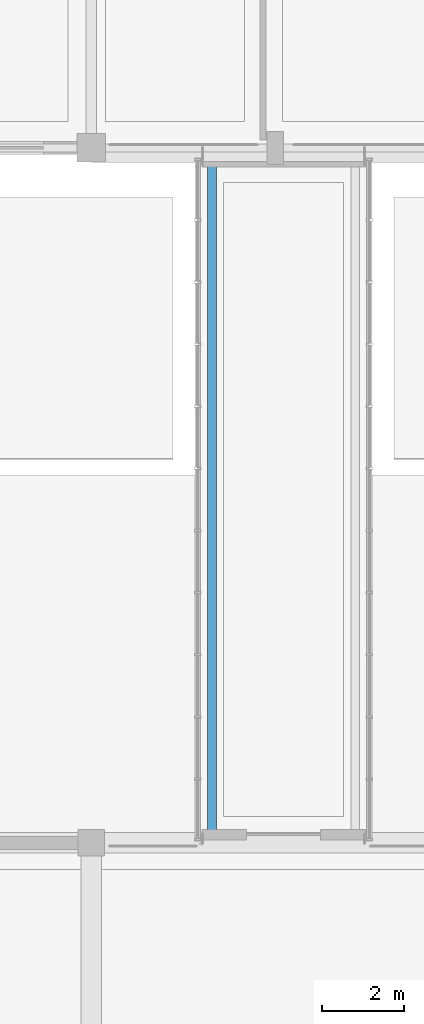
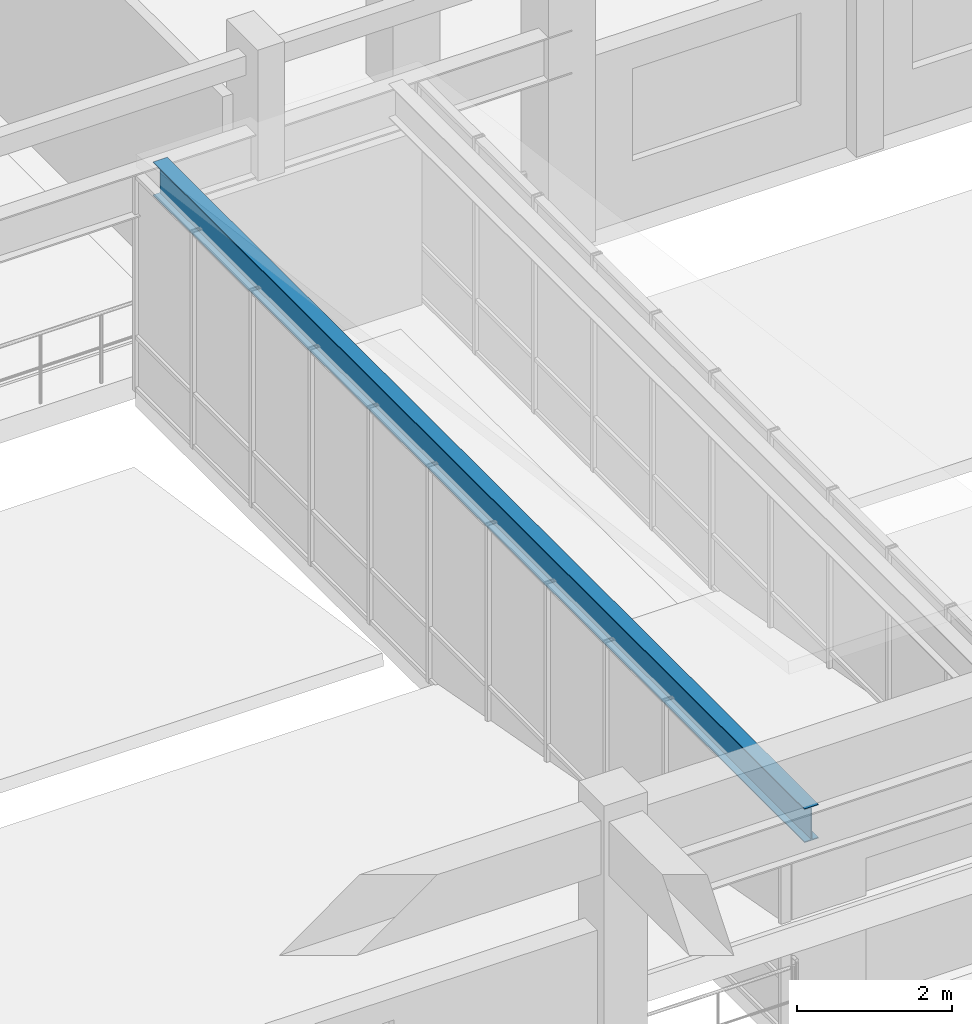
# One storey, part 17 of 104: 1 beam.
"""IFC4 building model written with IfcOpenShell, lengths in metres."""

import ifcopenshell
import ifcopenshell.guid

model = None  # the IFC model being written
_history = None  # IfcOwnerHistory: only IFC2X3 demands one
_inside = {}  # id of a spatial element -> (the spatial element, [elements in it])
_under = {}  # id of a project, library or spatial element -> (it, [spatial elements below it])
_declared = {}  # id of a project -> (the project, [libraries it declares])
_typed = {}  # id of a type object -> (the type object, [elements of that type])
_made_of = {}  # id of a material, layer set ... -> (it, [elements and type objects made of it])


def new_model(schema):
    """Start an empty IFC model of exactly this schema.

    Asked for "IFC4X3", IfcOpenShell would pick the latest addendum, in which some entities
    have other attributes; the version numbers below select the first issue.
    IFC2X3 requires an IfcOwnerHistory on every rooted entity: one is made here for all.
    """
    global model, _history
    if schema == "IFC4X3":
        model = ifcopenshell.file(schema_version=(4, 3, 0, 0))
    else:
        model = ifcopenshell.file(schema=schema)
    _inside.clear()
    _under.clear()
    _declared.clear()
    _typed.clear()
    _made_of.clear()
    _history = None
    if model.schema == "IFC2X3":
        org = make("IfcOrganization", Name="unknown")
        user = make(
            "IfcPersonAndOrganization",
            ThePerson=make("IfcPerson", FamilyName="unknown"),
            TheOrganization=org,
        )
        app = make(
            "IfcApplication",
            ApplicationDeveloper=org,
            Version="unknown",
            ApplicationFullName="unknown",
            ApplicationIdentifier="unknown",
        )
        _history = make(
            "IfcOwnerHistory",
            OwningUser=user,
            OwningApplication=app,
            ChangeAction="ADDED",
            CreationDate=0,
        )
    return model


def make(cls, **values):
    """One entity of the class cls with the attributes given. An attribute that is None is left unset."""
    return model.create_entity(
        cls, **{name: value for name, value in values.items() if value is not None}
    )


def rooted(cls, **values):
    """An entity with a GlobalId (a new one), such as an element, a storey or a relation."""
    return make(cls, GlobalId=ifcopenshell.guid.new(), OwnerHistory=_history, **values)


def si_unit(unit_type, name, prefix=None):
    """IfcSIUnit, for example si_unit("LENGTHUNIT", "METRE", prefix="MILLI")."""
    return make("IfcSIUnit", UnitType=unit_type, Prefix=prefix, Name=name)


def assignment(units):
    """IfcUnitAssignment: the units of a project."""
    return None if units is None else make("IfcUnitAssignment", Units=units)


def point(xyz):
    """IfcCartesianPoint."""
    return None if xyz is None else make("IfcCartesianPoint", Coordinates=xyz)


def direction(xyz):
    """IfcDirection."""
    return None if xyz is None else make("IfcDirection", DirectionRatios=xyz)


def frame(location, z_axis=None, x_axis=None):
    """IfcAxis2Placement3D, a coordinate frame: its origin and axes. An axis left out is left unset."""
    return make(
        "IfcAxis2Placement3D",
        Location=point(location),
        Axis=direction(z_axis),
        RefDirection=direction(x_axis),
    )


def frame_2d(location, x_axis=None):
    """IfcAxis2Placement2D, a coordinate frame in the plane: its origin and x axis."""
    return make(
        "IfcAxis2Placement2D", Location=point(location), RefDirection=direction(x_axis)
    )


def origin():
    """The frame at (0, 0, 0) with its axes left unset."""
    return frame((0.0, 0.0, 0.0))


def origin_2d():
    """The frame at (0, 0) in the plane with its x axis left unset."""
    return frame_2d((0.0, 0.0))


def place(relative_to, where):
    """IfcLocalPlacement: puts the frame where relative to a parent placement (None: the world)."""
    return make(
        "IfcLocalPlacement", PlacementRelTo=relative_to, RelativePlacement=where
    )


def context(
    kind, dimensions, precision=None, world=None, true_north=None, identifier=None
):
    """IfcGeometricRepresentationContext, for example the 3D "Model" context."""
    return make(
        "IfcGeometricRepresentationContext",
        ContextIdentifier=identifier,
        ContextType=kind,
        CoordinateSpaceDimension=dimensions,
        Precision=precision,
        WorldCoordinateSystem=world,
        TrueNorth=true_north,
    )


def subcontext(parent, identifier, kind, view, scale=None):
    """IfcGeometricRepresentationSubContext, for example "Body" below "Model"."""
    return make(
        "IfcGeometricRepresentationSubContext",
        ContextIdentifier=identifier,
        ContextType=kind,
        ParentContext=parent,
        TargetScale=scale,
        TargetView=view,
    )


def project(units=None, contexts=None):
    """IfcProject with its units and contexts."""
    return rooted(
        "IfcProject",
        Name="project",
        RepresentationContexts=contexts,
        UnitsInContext=assignment(units),
    )


def spatial(cls, under=None, at=None, **own):
    """A site, building, storey or space (cls), placed at a placement, below another one or the project."""
    s = rooted(cls, ObjectPlacement=at, **own)
    if under is not None:
        _under.setdefault(under.id(), (under, []))[1].append(s)
    return s


def profile(cls, at=None, kind="AREA", **sizes):
    """A parametric profile (cls). Its sizes go by their IFC names, for example OverallWidth=200.0."""
    return make(cls, ProfileType=kind, Position=at, **sizes)


def i_section(**sizes):
    """IfcIShapeProfileDef."""
    return profile("IfcIShapeProfileDef", **sizes)


def extrude(swept, where, along, depth):
    """IfcExtrudedAreaSolid: the profile swept, set in the frame where, extruded along a direction by depth."""
    return make(
        "IfcExtrudedAreaSolid",
        SweptArea=swept,
        Position=where,
        ExtrudedDirection=direction(along),
        Depth=depth,
    )


def shape(context_of_items, identifier, shape_type, items):
    """IfcShapeRepresentation: the items that make up one representation, for example the "Body"."""
    return make(
        "IfcShapeRepresentation",
        ContextOfItems=context_of_items,
        RepresentationIdentifier=identifier,
        RepresentationType=shape_type,
        Items=items,
    )


def material(Name=None, Category=None):
    """IfcMaterial."""
    return make("IfcMaterial", Name=Name, Category=Category)


def material_profile(
    of_material, cross_section, Name=None, Category=None, Priority=None
):
    """IfcMaterialProfile: a cross section and its material."""
    return make(
        "IfcMaterialProfile",
        Name=Name,
        Material=of_material,
        Profile=cross_section,
        Priority=Priority,
        Category=Category,
    )


def profile_set(profiles, Name=None, composite=None):
    """IfcMaterialProfileSet."""
    return make(
        "IfcMaterialProfileSet",
        Name=Name,
        MaterialProfiles=profiles,
        CompositeProfile=composite,
    )


def made_of(thing, what):
    """Note that an element or type object is made of a material, layer set ...; save() writes the relation."""
    if what is not None:
        _made_of.setdefault(what.id(), (what, []))[1].append(thing)
    return thing


def type_object(cls, material=None, **own):
    """A type object (cls), such as IfcWallType, which elements share."""
    return made_of(rooted(cls, **own), material)


def element(
    cls,
    number,
    at=None,
    inside=None,
    cuts=None,
    type_object=None,
    material=None,
    context=None,
    identifier="Body",
    shape_type=None,
    held_by="IfcProductDefinitionShape",
    body=None,
    shapes=None,
    **own,
):
    """One element of the class cls, such as IfcWall. Its Tag is "e" and its number.

    at: its placement. inside: the storey or other place that contains it. cuts: it is an
    opening in that element (IfcRelVoidsElement). A single representation is given by context,
    identifier, shape_type and body (its items); several are given by shapes. held_by: the class
    of the entity that holds the representations. save() writes the other relations.
    """
    e = rooted(cls, Tag="e%d" % number, ObjectPlacement=at, **own)
    if body is not None:
        shapes = [shape(context, identifier, shape_type, body)]
    if shapes is not None:
        e.Representation = make(held_by, Representations=shapes)
    if inside is not None:
        _inside.setdefault(inside.id(), (inside, []))[1].append(e)
    if cuts is not None:
        rooted(
            "IfcRelVoidsElement", RelatingBuildingElement=cuts, RelatedOpeningElement=e
        )
    if type_object is not None:
        _typed.setdefault(type_object.id(), (type_object, []))[1].append(e)
    return made_of(e, material)


def aggregate(whole, parts):
    """IfcRelAggregates: a whole, such as a stair, and the parts it consists of."""
    return rooted("IfcRelAggregates", RelatingObject=whole, RelatedObjects=parts)


def save(model, path):
    """Write the relations noted so far, then the file.

    IfcRelAggregates (storeys below a building ...), IfcRelContainedInSpatialStructure (elements
    in a storey), IfcRelDefinesByType, IfcRelAssociatesMaterial and IfcRelDeclares: one each for
    every whole, place, type object, material and project.
    """
    for whole, parts in _under.values():
        aggregate(whole, parts)
    for where, things in _inside.values():
        rooted(
            "IfcRelContainedInSpatialStructure",
            RelatedElements=things,
            RelatingStructure=where,
        )
    for kind, things in _typed.values():
        rooted("IfcRelDefinesByType", RelatedObjects=things, RelatingType=kind)
    for what, things in _made_of.values():
        rooted("IfcRelAssociatesMaterial", RelatedObjects=things, RelatingMaterial=what)
    for by, libraries in _declared.values():
        rooted("IfcRelDeclares", RelatingContext=by, RelatedDefinitions=libraries)
    model.write(path)


model = new_model("IFC4")

# Units and contexts
model_context = context("Model", 3, precision=1e-05, world=origin(), true_north=direction((0.0, 1.0)))
body_context = subcontext(model_context, "Body", "Model", "MODEL_VIEW")
ifc_project = project(units=[si_unit("LENGTHUNIT", "METRE"), si_unit("AREAUNIT", "SQUARE_METRE"), si_unit("VOLUMEUNIT", "CUBIC_METRE"), si_unit("PLANEANGLEUNIT", "RADIAN"), si_unit("MASSUNIT", "GRAM", prefix="KILO")], contexts=[model_context])

# Site, building, storey
site_placement = place(None, origin())
site = spatial("IfcSite", under=ifc_project, at=site_placement, CompositionType="ELEMENT")
building_placement = place(site_placement, origin())
building = spatial("IfcBuilding", under=site, at=building_placement, Name="Ventoquebrada Cableway Terminal", CompositionType="ELEMENT")
storey_placement = place(building_placement, frame((0.0, 0.0, 4.800048828125)))
storey = spatial("IfcBuildingStorey", under=building, at=storey_placement, Name="L01", CompositionType="ELEMENT", Elevation=4.800048828125)

# Beam
ifc_material = material(Name="Steel ASTM A992 Grade 50", Category="steel")
ifc_material_profile = material_profile(ifc_material, i_section(OverallWidth=0.2099609375, OverallDepth=0.532958984375, WebThickness=0.01025390625, FlangeThickness=0.015625, at=origin_2d()), Name="W21X62")
ifc_profile_set = profile_set([ifc_material_profile], Name="Steel ASTM A992 Grade 50")
beam_type = type_object("IfcBeamType", Name="BM-ST01", PredefinedType="BEAM", material=ifc_profile_set)
beam_placement = place(storey_placement, frame((20.14990234375, 47.0, 3.183837890625), z_axis=(0.0, 1.0, 0.0), x_axis=(-1.0, 0.0, 0.0)))
element("IfcBeam", 1, at=beam_placement, inside=storey, type_object=beam_type, Name="Link bridge roof girder LP-1 FBM-1103", PredefinedType="BEAM", context=body_context, shape_type="SweptSolid", body=[
    extrude(i_section(OverallWidth=0.2099609375, OverallDepth=0.532958984375, WebThickness=0.01025390625, FlangeThickness=0.015625, at=origin_2d()), origin(), (0.0, 0.0, 1.0), 16.77490234375),
])

save(model, "model.ifc")
